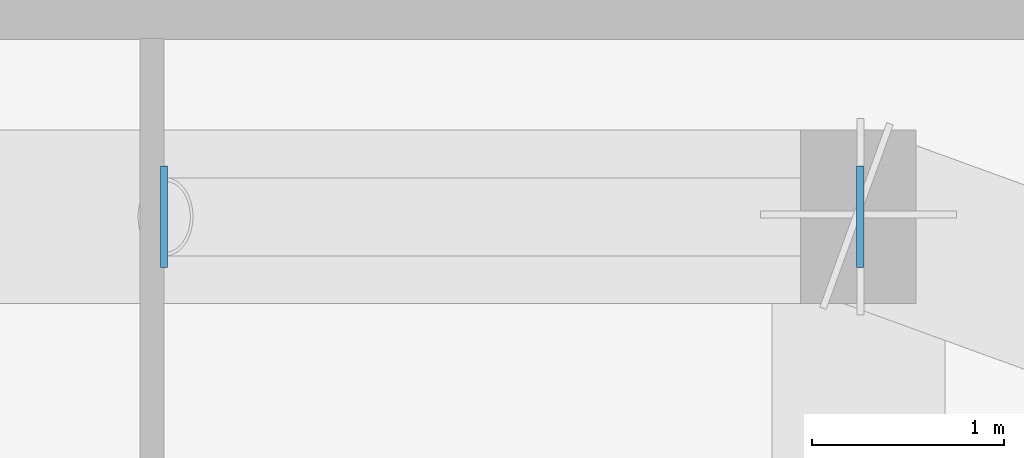
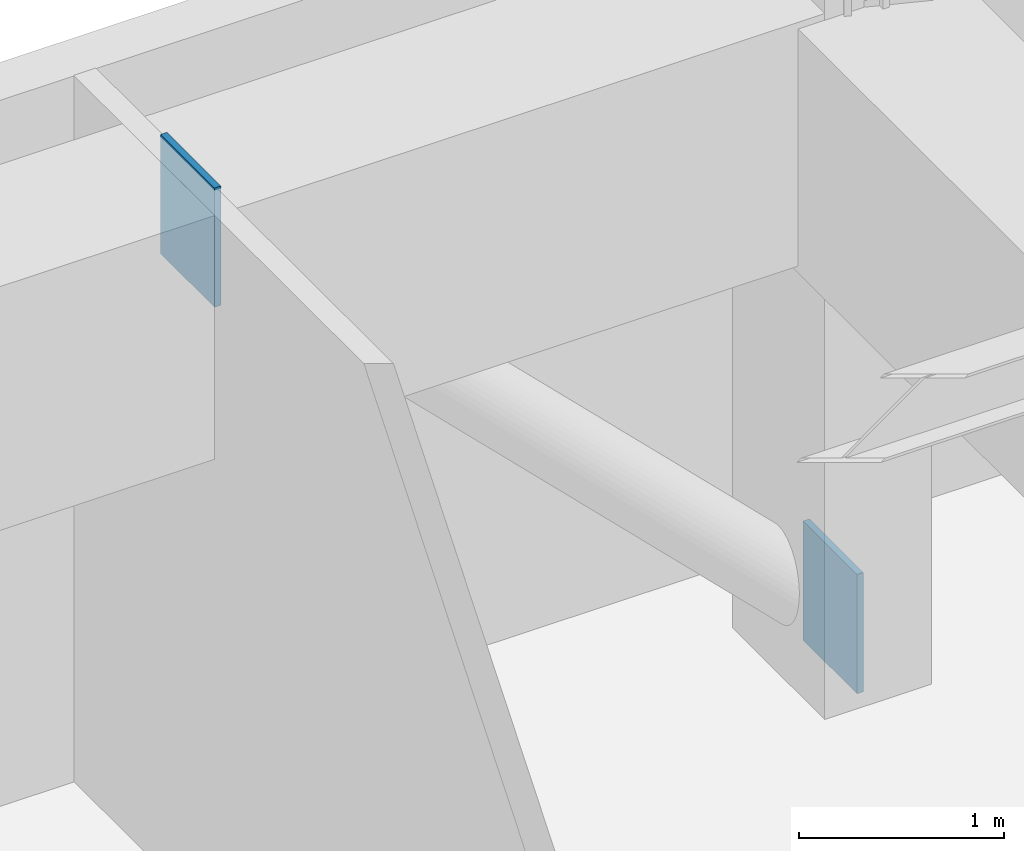
# One storey, part 10 of 17: 2 plates.
"""IFC4 building model written with IfcOpenShell, lengths in metres."""

from ifc_helpers import new_model, si_unit, direction, frame, origin, origin_2d, place, context, subcontext, project, spatial, rectangle, extrude, material, layer, layer_set, type_object, element, save


model = new_model("IFC4")

# Units and contexts
model_context = context("Model", 3, precision=1e-05, world=origin(), true_north=direction((0.0, 1.0)))
body_context = subcontext(model_context, "Body", "Model", "MODEL_VIEW")
ifc_project = project(units=[si_unit("LENGTHUNIT", "METRE"), si_unit("AREAUNIT", "SQUARE_METRE"), si_unit("VOLUMEUNIT", "CUBIC_METRE"), si_unit("PLANEANGLEUNIT", "RADIAN"), si_unit("MASSUNIT", "GRAM", prefix="KILO")], contexts=[model_context])

# Site, building, storey
site_placement = place(None, origin())
site = spatial("IfcSite", under=ifc_project, at=site_placement, CompositionType="ELEMENT")
building_placement = place(site_placement, origin())
building = spatial("IfcBuilding", under=site, at=building_placement, Name="Kiyonajd Concourse Tower", CompositionType="ELEMENT")
storey_placement = place(building_placement, frame((0.0, 0.0, 350.39990234375)))
storey = spatial("IfcBuildingStorey", under=building, at=storey_placement, Name="L88", CompositionType="ELEMENT", Elevation=350.39990234375)

# Plates
ifc_material = material(Name="Steel ASTM A572 Grade 50", Category="steel")
ifc_layer = layer(ifc_material, 0.028076171875)
ifc_layer_set = layer_set([ifc_layer], Name="Steel ASTM A572 Grade 50")
plate_type = type_object("IfcPlateType", Name="PL-CAP-450", PredefinedType="USERDEFINED", material=ifc_layer_set)
for number, where, z_axis, x_axis, name in (
    (1, (63.60791015625, 52.199951171875, -0.0625), (0.0, 0.0, 1.0), (1.0, 0.0, 0.0), "L88 Hollow Brace End Cap Plate PBN"),
    (2, (59.9921875, 52.199951171875, 3.5029296875), (0.0, 0.0, 1.0), (-1.0, 0.0, 0.0), "L88 Hollow Brace Top Cap Plate PBN"),
):
    element("IfcPlate", number, at=place(storey_placement, frame(where, z_axis=z_axis, x_axis=x_axis)), inside=storey, type_object=plate_type, Name=name, ObjectType="CAP PLATE", PredefinedType="USERDEFINED", context=body_context, shape_type="SweptSolid", body=[
        extrude(rectangle(XDim=0.035888671875, YDim=0.52587890625, at=origin_2d()), origin(), (0.0, 0.0, 1.0), 0.7099609375),
    ])

save(model, "model.ifc")
